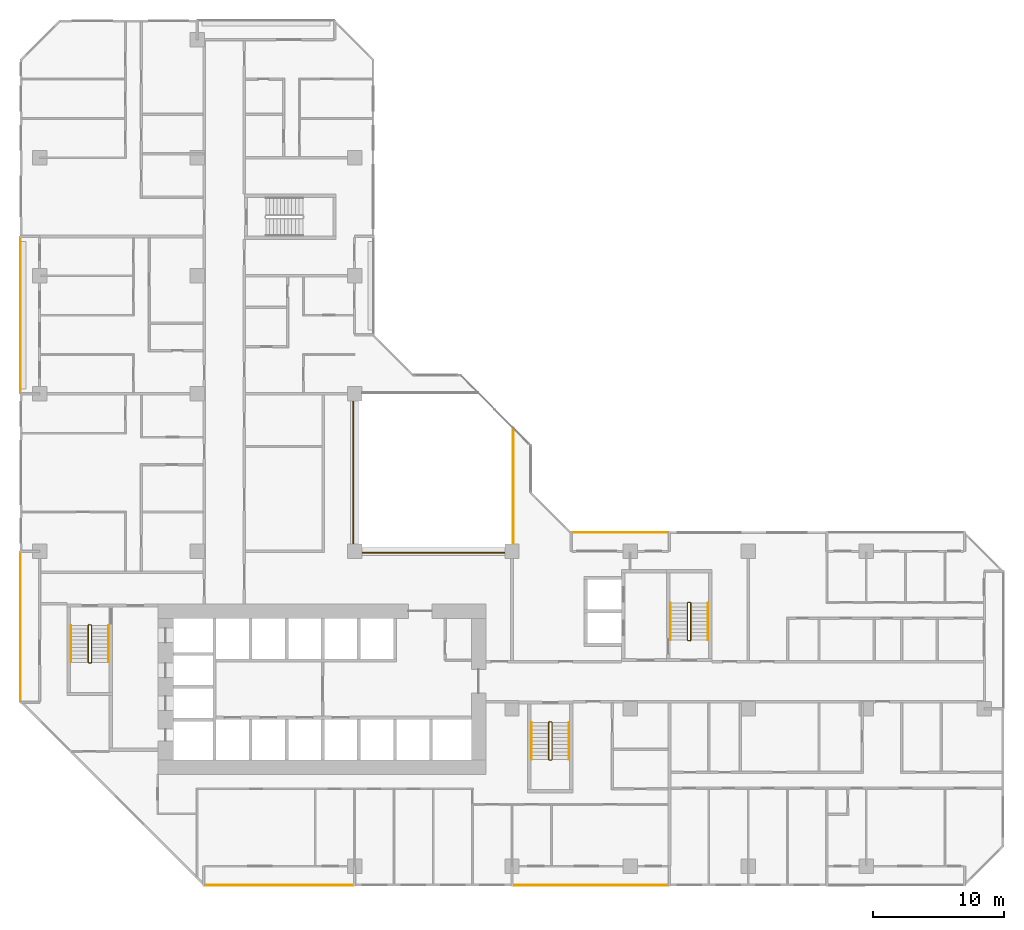
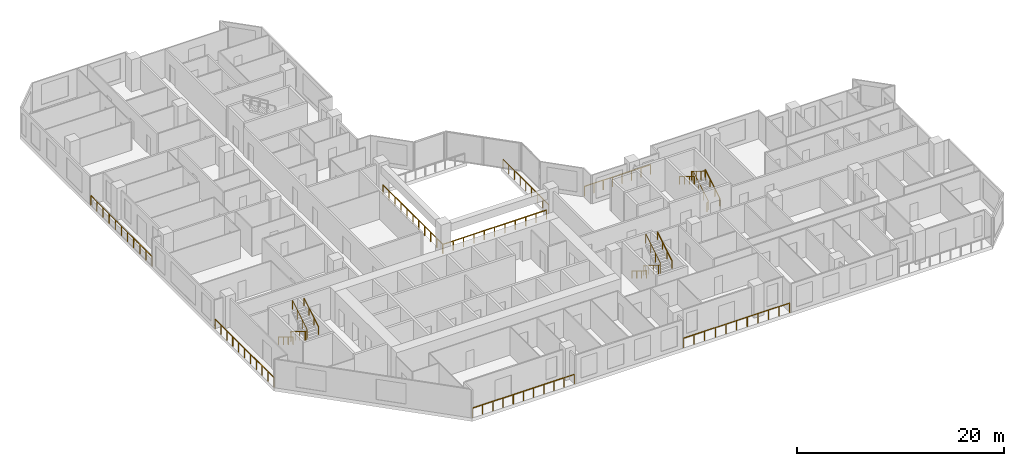
# One storey, part 15 of 16: 16 railings.
"""IFC4 building model written with IfcOpenShell, lengths in metres."""

from ifc_helpers import new_model, si_unit, direction, frame, origin, origin_2d, place, context, subcontext, project, spatial, rectangle, extrude, material, type_object, element, save


model = new_model("IFC4")

# Units and contexts
model_context = context("Model", 3, precision=1e-05, world=origin(), true_north=direction((0.0, 1.0)))
body_context = subcontext(model_context, "Body", "Model", "MODEL_VIEW")
ifc_project = project(units=[si_unit("LENGTHUNIT", "METRE"), si_unit("AREAUNIT", "SQUARE_METRE"), si_unit("VOLUMEUNIT", "CUBIC_METRE"), si_unit("PLANEANGLEUNIT", "RADIAN"), si_unit("MASSUNIT", "GRAM", prefix="KILO")], contexts=[model_context])

# Site, building, storey
site_placement = place(None, origin())
site = spatial("IfcSite", under=ifc_project, at=site_placement, CompositionType="ELEMENT")
building_placement = place(site_placement, origin())
building = spatial("IfcBuilding", under=site, at=building_placement, Name="Chenar Terraces", CompositionType="ELEMENT")
storey_placement = place(building_placement, frame((0.0, 0.0, 75.14990234375)))
storey = spatial("IfcBuildingStorey", under=building, at=storey_placement, Name="L16", CompositionType="ELEMENT", Elevation=75.14990234375)

# Railings
ifc_material_1 = material(Name="Powder-coated steel", Category="steel")
railing_type_1 = type_object("IfcRailingType", Name="Guard 1100 steel rail with glass infill", PredefinedType="GUARDRAIL", material=ifc_material_1)
railing_1_placement = place(storey_placement, frame((23.89990234375, 35.449951171875, 0.0)))
element("IfcRailing", 1, at=railing_1_placement, inside=storey, type_object=railing_type_1, Name="Guard L16-1", PredefinedType="GUARDRAIL", context=body_context, shape_type="SweptSolid", body=[
    extrude(rectangle(XDim=0.06005859375, YDim=0.06005859375, at=origin_2d()), frame((0.0, 0.0, 1.070068359375), z_axis=(0.0, -1.0, 0.0), x_axis=(1.0, 0.0, 0.0)), (0.0, 0.0, 1.0), 11.550048828125),
    extrude(rectangle(XDim=0.06005859375, YDim=0.06005859375, at=origin_2d()), frame((0.0, -11.550048828125, 1.070068359375), z_axis=(1.0, 0.0, 0.0), x_axis=(0.0, 1.0, 0.0)), (0.0, 0.0, 1.0), 11.550048828125),
    extrude(rectangle(XDim=0.050048828125, YDim=0.050048828125, at=origin_2d()), origin(), (0.0, 0.0, 1.0), 1.0400390625),
    extrude(rectangle(XDim=0.050048828125, YDim=0.050048828125, at=origin_2d()), frame((0.0, -1.155029296875, 0.0)), (0.0, 0.0, 1.0), 1.0400390625),
    extrude(rectangle(XDim=0.050048828125, YDim=0.050048828125, at=origin_2d()), frame((0.0, -2.31005859375, 0.0)), (0.0, 0.0, 1.0), 1.0400390625),
    extrude(rectangle(XDim=0.050048828125, YDim=0.050048828125, at=origin_2d()), frame((0.0, -3.465087890625, 0.0)), (0.0, 0.0, 1.0), 1.0400390625),
    extrude(rectangle(XDim=0.050048828125, YDim=0.050048828125, at=origin_2d()), frame((0.0, -4.6201171875, 0.0)), (0.0, 0.0, 1.0), 1.0400390625),
    extrude(rectangle(XDim=0.050048828125, YDim=0.050048828125, at=origin_2d()), frame((0.0, -5.77490234375, 0.0)), (0.0, 0.0, 1.0), 1.0400390625),
    extrude(rectangle(XDim=0.050048828125, YDim=0.050048828125, at=origin_2d()), frame((0.0, -6.929931640625, 0.0)), (0.0, 0.0, 1.0), 1.0400390625),
    extrude(rectangle(XDim=0.050048828125, YDim=0.050048828125, at=origin_2d()), frame((0.0, -8.0849609375, 0.0)), (0.0, 0.0, 1.0), 1.0400390625),
    extrude(rectangle(XDim=0.050048828125, YDim=0.050048828125, at=origin_2d()), frame((0.0, -9.239990234375, 0.0)), (0.0, 0.0, 1.0), 1.0400390625),
    extrude(rectangle(XDim=0.050048828125, YDim=0.050048828125, at=origin_2d()), frame((0.0, -10.39501953125, 0.0)), (0.0, 0.0, 1.0), 1.0400390625),
    extrude(rectangle(XDim=0.050048828125, YDim=0.050048828125, at=origin_2d()), frame((0.0, -11.550048828125, 0.0)), (0.0, 0.0, 1.0), 1.0400390625),
    extrude(rectangle(XDim=0.050048828125, YDim=0.050048828125, at=origin_2d()), frame((1.155029296875, -11.550048828125, 0.0)), (0.0, 0.0, 1.0), 1.0400390625),
    extrude(rectangle(XDim=0.050048828125, YDim=0.050048828125, at=origin_2d()), frame((2.31005859375, -11.550048828125, 0.0)), (0.0, 0.0, 1.0), 1.0400390625),
    extrude(rectangle(XDim=0.050048828125, YDim=0.050048828125, at=origin_2d()), frame((3.465087890625, -11.550048828125, 0.0)), (0.0, 0.0, 1.0), 1.0400390625),
    extrude(rectangle(XDim=0.050048828125, YDim=0.050048828125, at=origin_2d()), frame((4.6201171875, -11.550048828125, 0.0)), (0.0, 0.0, 1.0), 1.0400390625),
    extrude(rectangle(XDim=0.050048828125, YDim=0.050048828125, at=origin_2d()), frame((5.77490234375, -11.550048828125, 0.0)), (0.0, 0.0, 1.0), 1.0400390625),
    extrude(rectangle(XDim=0.050048828125, YDim=0.050048828125, at=origin_2d()), frame((6.929931640625, -11.550048828125, 0.0)), (0.0, 0.0, 1.0), 1.0400390625),
    extrude(rectangle(XDim=0.050048828125, YDim=0.050048828125, at=origin_2d()), frame((8.0849609375, -11.550048828125, 0.0)), (0.0, 0.0, 1.0), 1.0400390625),
    extrude(rectangle(XDim=0.050048828125, YDim=0.050048828125, at=origin_2d()), frame((9.239990234375, -11.550048828125, 0.0)), (0.0, 0.0, 1.0), 1.0400390625),
    extrude(rectangle(XDim=0.050048828125, YDim=0.050048828125, at=origin_2d()), frame((10.39501953125, -11.550048828125, 0.0)), (0.0, 0.0, 1.0), 1.0400390625),
    extrude(rectangle(XDim=0.050048828125, YDim=0.050048828125, at=origin_2d()), frame((11.550048828125, -11.550048828125, 0.0)), (0.0, 0.0, 1.0), 1.0400390625),
])
railing_2_placement = place(storey_placement, frame((36.10009765625, 24.60009765625, 0.0)))
element("IfcRailing", 2, at=railing_2_placement, inside=storey, type_object=railing_type_1, Name="Guard L16-3", PredefinedType="GUARDRAIL", context=body_context, shape_type="SweptSolid", body=[
    extrude(rectangle(XDim=0.06005859375, YDim=0.06005859375, at=origin_2d()), frame((0.0, 0.0, 1.070068359375), z_axis=(0.0, 1.0, 0.0), x_axis=(-1.0, 0.0, 0.0)), (0.0, 0.0, 1.0), 8.7998046875),
    extrude(rectangle(XDim=0.050048828125, YDim=0.050048828125, at=origin_2d()), origin(), (0.0, 0.0, 1.0), 1.0400390625),
    extrude(rectangle(XDim=0.050048828125, YDim=0.050048828125, at=origin_2d()), frame((0.0, 1.10009765625, 0.0)), (0.0, 0.0, 1.0), 1.0400390625),
    extrude(rectangle(XDim=0.050048828125, YDim=0.050048828125, at=origin_2d()), frame((0.0, 2.199951171875, 0.0)), (0.0, 0.0, 1.0), 1.0400390625),
    extrude(rectangle(XDim=0.050048828125, YDim=0.050048828125, at=origin_2d()), frame((0.0, 3.2998046875, 0.0)), (0.0, 0.0, 1.0), 1.0400390625),
    extrude(rectangle(XDim=0.050048828125, YDim=0.050048828125, at=origin_2d()), frame((0.0, 4.39990234375, 0.0)), (0.0, 0.0, 1.0), 1.0400390625),
    extrude(rectangle(XDim=0.050048828125, YDim=0.050048828125, at=origin_2d()), frame((0.0, 5.5, 0.0)), (0.0, 0.0, 1.0), 1.0400390625),
    extrude(rectangle(XDim=0.050048828125, YDim=0.050048828125, at=origin_2d()), frame((0.0, 6.599853515625, 0.0)), (0.0, 0.0, 1.0), 1.0400390625),
    extrude(rectangle(XDim=0.050048828125, YDim=0.050048828125, at=origin_2d()), frame((0.0, 7.69970703125, 0.0)), (0.0, 0.0, 1.0), 1.0400390625),
    extrude(rectangle(XDim=0.050048828125, YDim=0.050048828125, at=origin_2d()), frame((0.0, 8.7998046875, 0.0)), (0.0, 0.0, 1.0), 1.0400390625),
])
ifc_material_2 = material(Name="Stainless steel and glass", Category="steel")
railing_type_2 = type_object("IfcRailingType", Name="Loggia guard 1150", PredefinedType="GUARDRAIL", material=ifc_material_2)
railing_3_placement = place(storey_placement, frame((47.925048828125, 25.449951171875, 0.0)))
element("IfcRailing", 3, at=railing_3_placement, inside=storey, type_object=railing_type_2, Name="Loggia guard", PredefinedType="GUARDRAIL", context=body_context, shape_type="SweptSolid", body=[
    extrude(rectangle(XDim=0.048095703125, YDim=0.048095703125, at=origin_2d()), frame((0.0, 0.0, 1.1259765625), z_axis=(-1.0, 0.0, 0.0), x_axis=(0.0, -1.0, 0.0)), (0.0, 0.0, 1.0), 7.35009765625),
    extrude(rectangle(XDim=0.0419921875, YDim=0.0419921875, at=origin_2d()), origin(), (0.0, 0.0, 1.0), 1.101806640625),
    extrude(rectangle(XDim=0.0419921875, YDim=0.0419921875, at=origin_2d()), frame((-1.050048828125, 0.0, 0.0)), (0.0, 0.0, 1.0), 1.101806640625),
    extrude(rectangle(XDim=0.0419921875, YDim=0.0419921875, at=origin_2d()), frame((-2.10009765625, 0.0, 0.0)), (0.0, 0.0, 1.0), 1.101806640625),
    extrude(rectangle(XDim=0.0419921875, YDim=0.0419921875, at=origin_2d()), frame((-3.150146484375, 0.0, 0.0)), (0.0, 0.0, 1.0), 1.101806640625),
    extrude(rectangle(XDim=0.0419921875, YDim=0.0419921875, at=origin_2d()), frame((-4.199951171875, 0.0, 0.0)), (0.0, 0.0, 1.0), 1.101806640625),
    extrude(rectangle(XDim=0.0419921875, YDim=0.0419921875, at=origin_2d()), frame((-5.25, 0.0, 0.0)), (0.0, 0.0, 1.0), 1.101806640625),
    extrude(rectangle(XDim=0.0419921875, YDim=0.0419921875, at=origin_2d()), frame((-6.300048828125, 0.0, 0.0)), (0.0, 0.0, 1.0), 1.101806640625),
    extrude(rectangle(XDim=0.0419921875, YDim=0.0419921875, at=origin_2d()), frame((-7.35009765625, 0.0, 0.0)), (0.0, 0.0, 1.0), 1.101806640625),
])
railing_4_placement = place(storey_placement, frame((12.574951171875, -1.449951171875, 0.0)))
element("IfcRailing", 4, at=railing_4_placement, inside=storey, type_object=railing_type_2, Name="Loggia guard", PredefinedType="GUARDRAIL", context=body_context, shape_type="SweptSolid", body=[
    extrude(rectangle(XDim=0.048095703125, YDim=0.048095703125, at=origin_2d()), frame((0.0, 0.0, 1.1259765625), z_axis=(1.0, 0.0, 0.0), x_axis=(0.0, 1.0, 0.0)), (0.0, 0.0, 1.0), 11.35009765625),
    extrude(rectangle(XDim=0.0419921875, YDim=0.0419921875, at=origin_2d()), origin(), (0.0, 0.0, 1.0), 1.101806640625),
    extrude(rectangle(XDim=0.0419921875, YDim=0.0419921875, at=origin_2d()), frame((1.135009765625, 0.0, 0.0)), (0.0, 0.0, 1.0), 1.101806640625),
    extrude(rectangle(XDim=0.0419921875, YDim=0.0419921875, at=origin_2d()), frame((2.27001953125, 0.0, 0.0)), (0.0, 0.0, 1.0), 1.101806640625),
    extrude(rectangle(XDim=0.0419921875, YDim=0.0419921875, at=origin_2d()), frame((3.405029296875, 0.0, 0.0)), (0.0, 0.0, 1.0), 1.101806640625),
    extrude(rectangle(XDim=0.0419921875, YDim=0.0419921875, at=origin_2d()), frame((4.5400390625, 0.0, 0.0)), (0.0, 0.0, 1.0), 1.101806640625),
    extrude(rectangle(XDim=0.0419921875, YDim=0.0419921875, at=origin_2d()), frame((5.675048828125, 0.0, 0.0)), (0.0, 0.0, 1.0), 1.101806640625),
    extrude(rectangle(XDim=0.0419921875, YDim=0.0419921875, at=origin_2d()), frame((6.81005859375, 0.0, 0.0)), (0.0, 0.0, 1.0), 1.101806640625),
    extrude(rectangle(XDim=0.0419921875, YDim=0.0419921875, at=origin_2d()), frame((7.945068359375, 0.0, 0.0)), (0.0, 0.0, 1.0), 1.101806640625),
    extrude(rectangle(XDim=0.0419921875, YDim=0.0419921875, at=origin_2d()), frame((9.080078125, 0.0, 0.0)), (0.0, 0.0, 1.0), 1.101806640625),
    extrude(rectangle(XDim=0.0419921875, YDim=0.0419921875, at=origin_2d()), frame((10.215087890625, 0.0, 0.0)), (0.0, 0.0, 1.0), 1.101806640625),
    extrude(rectangle(XDim=0.0419921875, YDim=0.0419921875, at=origin_2d()), frame((11.35009765625, 0.0, 0.0)), (0.0, 0.0, 1.0), 1.101806640625),
])
railing_5_placement = place(storey_placement, frame((36.074951171875, -1.449951171875, 0.0)))
element("IfcRailing", 5, at=railing_5_placement, inside=storey, type_object=railing_type_2, Name="Loggia guard", PredefinedType="GUARDRAIL", context=body_context, shape_type="SweptSolid", body=[
    extrude(rectangle(XDim=0.048095703125, YDim=0.048095703125, at=origin_2d()), frame((0.0, 0.0, 1.1259765625), z_axis=(1.0, 0.0, 0.0), x_axis=(0.0, 1.0, 0.0)), (0.0, 0.0, 1.0), 11.85009765625),
    extrude(rectangle(XDim=0.0419921875, YDim=0.0419921875, at=origin_2d()), origin(), (0.0, 0.0, 1.0), 1.101806640625),
    extrude(rectangle(XDim=0.0419921875, YDim=0.0419921875, at=origin_2d()), frame((1.18505859375, 0.0, 0.0)), (0.0, 0.0, 1.0), 1.101806640625),
    extrude(rectangle(XDim=0.0419921875, YDim=0.0419921875, at=origin_2d()), frame((2.3701171875, 0.0, 0.0)), (0.0, 0.0, 1.0), 1.101806640625),
    extrude(rectangle(XDim=0.0419921875, YDim=0.0419921875, at=origin_2d()), frame((3.554931640625, 0.0, 0.0)), (0.0, 0.0, 1.0), 1.101806640625),
    extrude(rectangle(XDim=0.0419921875, YDim=0.0419921875, at=origin_2d()), frame((4.739990234375, 0.0, 0.0)), (0.0, 0.0, 1.0), 1.101806640625),
    extrude(rectangle(XDim=0.0419921875, YDim=0.0419921875, at=origin_2d()), frame((5.925048828125, 0.0, 0.0)), (0.0, 0.0, 1.0), 1.101806640625),
    extrude(rectangle(XDim=0.0419921875, YDim=0.0419921875, at=origin_2d()), frame((7.110107421875, 0.0, 0.0)), (0.0, 0.0, 1.0), 1.101806640625),
    extrude(rectangle(XDim=0.0419921875, YDim=0.0419921875, at=origin_2d()), frame((8.295166015625, 0.0, 0.0)), (0.0, 0.0, 1.0), 1.101806640625),
    extrude(rectangle(XDim=0.0419921875, YDim=0.0419921875, at=origin_2d()), frame((9.47998046875, 0.0, 0.0)), (0.0, 0.0, 1.0), 1.101806640625),
    extrude(rectangle(XDim=0.0419921875, YDim=0.0419921875, at=origin_2d()), frame((10.6650390625, 0.0, 0.0)), (0.0, 0.0, 1.0), 1.101806640625),
    extrude(rectangle(XDim=0.0419921875, YDim=0.0419921875, at=origin_2d()), frame((11.85009765625, 0.0, 0.0)), (0.0, 0.0, 1.0), 1.101806640625),
])
railing_6_placement = place(storey_placement, frame((-1.449951171875, 47.925048828125, 0.0)))
element("IfcRailing", 6, at=railing_6_placement, inside=storey, type_object=railing_type_2, Name="Loggia guard", PredefinedType="GUARDRAIL", context=body_context, shape_type="SweptSolid", body=[
    extrude(rectangle(XDim=0.048095703125, YDim=0.048095703125, at=origin_2d()), frame((0.0, 0.0, 1.1259765625), z_axis=(0.0, -1.0, 0.0), x_axis=(1.0, 0.0, 0.0)), (0.0, 0.0, 1.0), 11.85009765625),
    extrude(rectangle(XDim=0.0419921875, YDim=0.0419921875, at=origin_2d()), origin(), (0.0, 0.0, 1.0), 1.101806640625),
    extrude(rectangle(XDim=0.0419921875, YDim=0.0419921875, at=origin_2d()), frame((0.0, -1.18505859375, 0.0)), (0.0, 0.0, 1.0), 1.101806640625),
    extrude(rectangle(XDim=0.0419921875, YDim=0.0419921875, at=origin_2d()), frame((0.0, -2.3701171875, 0.0)), (0.0, 0.0, 1.0), 1.101806640625),
    extrude(rectangle(XDim=0.0419921875, YDim=0.0419921875, at=origin_2d()), frame((0.0, -3.554931640625, 0.0)), (0.0, 0.0, 1.0), 1.101806640625),
    extrude(rectangle(XDim=0.0419921875, YDim=0.0419921875, at=origin_2d()), frame((0.0, -4.739990234375, 0.0)), (0.0, 0.0, 1.0), 1.101806640625),
    extrude(rectangle(XDim=0.0419921875, YDim=0.0419921875, at=origin_2d()), frame((0.0, -5.925048828125, 0.0)), (0.0, 0.0, 1.0), 1.101806640625),
    extrude(rectangle(XDim=0.0419921875, YDim=0.0419921875, at=origin_2d()), frame((0.0, -7.110107421875, 0.0)), (0.0, 0.0, 1.0), 1.101806640625),
    extrude(rectangle(XDim=0.0419921875, YDim=0.0419921875, at=origin_2d()), frame((0.0, -8.295166015625, 0.0)), (0.0, 0.0, 1.0), 1.101806640625),
    extrude(rectangle(XDim=0.0419921875, YDim=0.0419921875, at=origin_2d()), frame((0.0, -9.47998046875, 0.0)), (0.0, 0.0, 1.0), 1.101806640625),
    extrude(rectangle(XDim=0.0419921875, YDim=0.0419921875, at=origin_2d()), frame((0.0, -10.6650390625, 0.0)), (0.0, 0.0, 1.0), 1.101806640625),
    extrude(rectangle(XDim=0.0419921875, YDim=0.0419921875, at=origin_2d()), frame((0.0, -11.85009765625, 0.0)), (0.0, 0.0, 1.0), 1.101806640625),
])
railing_7_placement = place(storey_placement, frame((-1.449951171875, 23.925048828125, 0.0)))
element("IfcRailing", 7, at=railing_7_placement, inside=storey, type_object=railing_type_2, Name="Loggia guard", PredefinedType="GUARDRAIL", context=body_context, shape_type="SweptSolid", body=[
    extrude(rectangle(XDim=0.048095703125, YDim=0.048095703125, at=origin_2d()), frame((0.0, 0.0, 1.1259765625), z_axis=(0.0, -1.0, 0.0), x_axis=(1.0, 0.0, 0.0)), (0.0, 0.0, 1.0), 11.35009765625),
    extrude(rectangle(XDim=0.0419921875, YDim=0.0419921875, at=origin_2d()), origin(), (0.0, 0.0, 1.0), 1.101806640625),
    extrude(rectangle(XDim=0.0419921875, YDim=0.0419921875, at=origin_2d()), frame((0.0, -1.135009765625, 0.0)), (0.0, 0.0, 1.0), 1.101806640625),
    extrude(rectangle(XDim=0.0419921875, YDim=0.0419921875, at=origin_2d()), frame((0.0, -2.27001953125, 0.0)), (0.0, 0.0, 1.0), 1.101806640625),
    extrude(rectangle(XDim=0.0419921875, YDim=0.0419921875, at=origin_2d()), frame((0.0, -3.405029296875, 0.0)), (0.0, 0.0, 1.0), 1.101806640625),
    extrude(rectangle(XDim=0.0419921875, YDim=0.0419921875, at=origin_2d()), frame((0.0, -4.5400390625, 0.0)), (0.0, 0.0, 1.0), 1.101806640625),
    extrude(rectangle(XDim=0.0419921875, YDim=0.0419921875, at=origin_2d()), frame((0.0, -5.675048828125, 0.0)), (0.0, 0.0, 1.0), 1.101806640625),
    extrude(rectangle(XDim=0.0419921875, YDim=0.0419921875, at=origin_2d()), frame((0.0, -6.81005859375, 0.0)), (0.0, 0.0, 1.0), 1.101806640625),
    extrude(rectangle(XDim=0.0419921875, YDim=0.0419921875, at=origin_2d()), frame((0.0, -7.945068359375, 0.0)), (0.0, 0.0, 1.0), 1.101806640625),
    extrude(rectangle(XDim=0.0419921875, YDim=0.0419921875, at=origin_2d()), frame((0.0, -9.080078125, 0.0)), (0.0, 0.0, 1.0), 1.101806640625),
    extrude(rectangle(XDim=0.0419921875, YDim=0.0419921875, at=origin_2d()), frame((0.0, -10.215087890625, 0.0)), (0.0, 0.0, 1.0), 1.101806640625),
    extrude(rectangle(XDim=0.0419921875, YDim=0.0419921875, at=origin_2d()), frame((0.0, -11.35009765625, 0.0)), (0.0, 0.0, 1.0), 1.101806640625),
])
ifc_material_3 = material(Name="Powder-coated steel", Category="steel")
railing_type_3 = type_object("IfcRailingType", Name="Stair guard 1100", PredefinedType="GUARDRAIL", material=ifc_material_3)
railing_8_placement = place(storey_placement, frame((3.949951171875, 18.35009765625, 3.75)))
element("IfcRailing", 8, at=railing_8_placement, inside=storey, type_object=railing_type_3, Name="L16 ST1 stair guard 1", PredefinedType="GUARDRAIL", context=body_context, shape_type="SweptSolid", body=[
    extrude(rectangle(XDim=0.048095703125, YDim=0.048095703125, at=origin_2d()), frame((0.0, 0.0, 1.076171875), z_axis=(0.0, -0.854202870247, -0.519939858505), x_axis=(1.0, 0.0, 0.0)), (0.0, 0.0, 1.0), 3.278076171875),
    extrude(rectangle(XDim=0.048095703125, YDim=0.048095703125, at=origin_2d()), frame((0.0, -2.800048828125, -0.62841796875), z_axis=(-0.270899902878, -0.270899902878, -0.923702595667), x_axis=(0.707106781187, -0.707106781187, 0.0)), (0.0, 0.0, 1.0), 0.184814453125),
    extrude(rectangle(XDim=0.048095703125, YDim=0.048095703125, at=origin_2d()), frame((-0.050048828125, -2.85009765625, -0.798828125), z_axis=(-1.0, 0.0, 0.0), x_axis=(0.0, -1.0, 0.0)), (0.0, 0.0, 1.0), 0.14990234375),
    extrude(rectangle(XDim=0.048095703125, YDim=0.048095703125, at=origin_2d()), frame((-0.199951171875, -2.85009765625, -0.798828125), z_axis=(-0.707106781187, 0.707106781187, 0.0), x_axis=(-0.707106781187, -0.707106781187, 0.0)), (0.0, 0.0, 1.0), 0.07080078125),
    extrude(rectangle(XDim=0.048095703125, YDim=0.048095703125, at=origin_2d()), frame((-0.25, -2.800048828125, -0.798828125), z_axis=(0.0, 0.854202870247, -0.519939858505), x_axis=(-1.0, 0.0, 0.0)), (0.0, 0.0, 1.0), 3.278076171875),
    extrude(rectangle(XDim=0.048095703125, YDim=0.048095703125, at=origin_2d()), frame((-0.25, 0.0, -2.50341796875), z_axis=(0.270996696079, 0.269674760976, -0.924032636873), x_axis=(-0.705375805398, 0.708833529934, 0.0)), (0.0, 0.0, 1.0), 0.1845703125),
    extrude(rectangle(XDim=0.048095703125, YDim=0.048095703125, at=origin_2d()), frame((-0.199951171875, 0.0498046875, -2.673828125), z_axis=(1.0, 0.0, 0.0), x_axis=(0.0, 1.0, 0.0)), (0.0, 0.0, 1.0), 0.14990234375),
    extrude(rectangle(XDim=0.0419921875, YDim=0.0419921875, at=origin_2d()), origin(), (0.0, 0.0, 1.0), 1.052001953125),
    extrude(rectangle(XDim=0.0419921875, YDim=0.0419921875, at=origin_2d()), frame((0.0, -0.933349609375, -0.568115234375)), (0.0, 0.0, 1.0), 1.052001953125),
    extrude(rectangle(XDim=0.0419921875, YDim=0.0419921875, at=origin_2d()), frame((0.0, -1.86669921875, -1.13623046875)), (0.0, 0.0, 1.0), 1.052001953125),
    extrude(rectangle(XDim=0.0419921875, YDim=0.0419921875, at=origin_2d()), frame((0.0, -2.800048828125, -1.704345703125)), (0.0, 0.0, 1.0), 1.052001953125),
    extrude(rectangle(XDim=0.0419921875, YDim=0.0419921875, at=origin_2d()), frame((-0.050048828125, -2.85009765625, -1.875)), (0.0, 0.0, 1.0), 1.052001953125),
    extrude(rectangle(XDim=0.0419921875, YDim=0.0419921875, at=origin_2d()), frame((-0.199951171875, -2.85009765625, -1.875)), (0.0, 0.0, 1.0), 1.052001953125),
    extrude(rectangle(XDim=0.0419921875, YDim=0.0419921875, at=origin_2d()), frame((-0.25, -2.800048828125, -1.875)), (0.0, 0.0, 1.0), 1.052001953125),
    extrude(rectangle(XDim=0.0419921875, YDim=0.0419921875, at=origin_2d()), frame((-0.25, -1.86669921875, -2.443115234375)), (0.0, 0.0, 1.0), 1.052001953125),
    extrude(rectangle(XDim=0.0419921875, YDim=0.0419921875, at=origin_2d()), frame((-0.25, -0.933349609375, -3.01123046875)), (0.0, 0.0, 1.0), 1.052001953125),
    extrude(rectangle(XDim=0.0419921875, YDim=0.0419921875, at=origin_2d()), frame((-0.25, 0.0, -3.579345703125)), (0.0, 0.0, 1.0), 1.052001953125),
    extrude(rectangle(XDim=0.0419921875, YDim=0.0419921875, at=origin_2d()), frame((-0.199951171875, 0.0498046875, -3.75)), (0.0, 0.0, 1.0), 1.052001953125),
    extrude(rectangle(XDim=0.0419921875, YDim=0.0419921875, at=origin_2d()), frame((-0.050048828125, 0.0498046875, -3.75)), (0.0, 0.0, 1.0), 1.052001953125),
])
railing_9_placement = place(storey_placement, frame((39.050048828125, 10.949951171875, 3.75)))
element("IfcRailing", 9, at=railing_9_placement, inside=storey, type_object=railing_type_3, Name="L16 ST2 stair guard 1", PredefinedType="GUARDRAIL", context=body_context, shape_type="SweptSolid", body=[
    extrude(rectangle(XDim=0.048095703125, YDim=0.048095703125, at=origin_2d()), frame((0.0, 0.0, 1.076171875), z_axis=(0.0, -0.854202870247, -0.519939858505), x_axis=(1.0, 0.0, 0.0)), (0.0, 0.0, 1.0), 3.278076171875),
    extrude(rectangle(XDim=0.048095703125, YDim=0.048095703125, at=origin_2d()), frame((0.0, -2.800048828125, -0.62841796875), z_axis=(-0.270996696079, -0.269674760976, -0.924032636873), x_axis=(0.705375805398, -0.708833529934, 0.0)), (0.0, 0.0, 1.0), 0.1845703125),
    extrude(rectangle(XDim=0.048095703125, YDim=0.048095703125, at=origin_2d()), frame((-0.050048828125, -2.849853515625, -0.798828125), z_axis=(-1.0, 0.0, 0.0), x_axis=(0.0, -1.0, 0.0)), (0.0, 0.0, 1.0), 0.14990234375),
    extrude(rectangle(XDim=0.048095703125, YDim=0.048095703125, at=origin_2d()), frame((-0.199951171875, -2.849853515625, -0.798828125), z_axis=(-0.708833529934, 0.705375805398, 0.0), x_axis=(-0.705375805398, -0.708833529934, 0.0)), (0.0, 0.0, 1.0), 0.070556640625),
    extrude(rectangle(XDim=0.048095703125, YDim=0.048095703125, at=origin_2d()), frame((-0.25, -2.800048828125, -0.798828125), z_axis=(0.0, 0.854202870247, -0.519939858505), x_axis=(-1.0, 0.0, 0.0)), (0.0, 0.0, 1.0), 3.278076171875),
    extrude(rectangle(XDim=0.048095703125, YDim=0.048095703125, at=origin_2d()), frame((-0.25, 0.0, -2.50341796875), z_axis=(0.270899902878, 0.270899902878, -0.923702595667), x_axis=(-0.707106781187, 0.707106781187, 0.0)), (0.0, 0.0, 1.0), 0.184814453125),
    extrude(rectangle(XDim=0.048095703125, YDim=0.048095703125, at=origin_2d()), frame((-0.199951171875, 0.050048828125, -2.673828125), z_axis=(1.0, 0.0, 0.0), x_axis=(0.0, 1.0, 0.0)), (0.0, 0.0, 1.0), 0.14990234375),
    extrude(rectangle(XDim=0.0419921875, YDim=0.0419921875, at=origin_2d()), origin(), (0.0, 0.0, 1.0), 1.052001953125),
    extrude(rectangle(XDim=0.0419921875, YDim=0.0419921875, at=origin_2d()), frame((0.0, -0.933349609375, -0.568115234375)), (0.0, 0.0, 1.0), 1.052001953125),
    extrude(rectangle(XDim=0.0419921875, YDim=0.0419921875, at=origin_2d()), frame((0.0, -1.86669921875, -1.13623046875)), (0.0, 0.0, 1.0), 1.052001953125),
    extrude(rectangle(XDim=0.0419921875, YDim=0.0419921875, at=origin_2d()), frame((0.0, -2.800048828125, -1.704345703125)), (0.0, 0.0, 1.0), 1.052001953125),
    extrude(rectangle(XDim=0.0419921875, YDim=0.0419921875, at=origin_2d()), frame((-0.050048828125, -2.849853515625, -1.875)), (0.0, 0.0, 1.0), 1.052001953125),
    extrude(rectangle(XDim=0.0419921875, YDim=0.0419921875, at=origin_2d()), frame((-0.199951171875, -2.849853515625, -1.875)), (0.0, 0.0, 1.0), 1.052001953125),
    extrude(rectangle(XDim=0.0419921875, YDim=0.0419921875, at=origin_2d()), frame((-0.25, -2.800048828125, -1.875)), (0.0, 0.0, 1.0), 1.052001953125),
    extrude(rectangle(XDim=0.0419921875, YDim=0.0419921875, at=origin_2d()), frame((-0.25, -1.86669921875, -2.443115234375)), (0.0, 0.0, 1.0), 1.052001953125),
    extrude(rectangle(XDim=0.0419921875, YDim=0.0419921875, at=origin_2d()), frame((-0.25, -0.933349609375, -3.01123046875)), (0.0, 0.0, 1.0), 1.052001953125),
    extrude(rectangle(XDim=0.0419921875, YDim=0.0419921875, at=origin_2d()), frame((-0.25, 0.0, -3.579345703125)), (0.0, 0.0, 1.0), 1.052001953125),
    extrude(rectangle(XDim=0.0419921875, YDim=0.0419921875, at=origin_2d()), frame((-0.199951171875, 0.050048828125, -3.75)), (0.0, 0.0, 1.0), 1.052001953125),
    extrude(rectangle(XDim=0.0419921875, YDim=0.0419921875, at=origin_2d()), frame((-0.050048828125, 0.050048828125, -3.75)), (0.0, 0.0, 1.0), 1.052001953125),
])
railing_10_placement = place(storey_placement, frame((49.375, 17.25, 3.75)))
element("IfcRailing", 10, at=railing_10_placement, inside=storey, type_object=railing_type_3, Name="L16 ST3 stair guard 1", PredefinedType="GUARDRAIL", context=body_context, shape_type="SweptSolid", body=[
    extrude(rectangle(XDim=0.048095703125, YDim=0.048095703125, at=origin_2d()), frame((0.0, 0.0, 1.076171875), z_axis=(0.0, 0.854202870247, -0.519939858505), x_axis=(-1.0, 0.0, 0.0)), (0.0, 0.0, 1.0), 3.278076171875),
    extrude(rectangle(XDim=0.048095703125, YDim=0.048095703125, at=origin_2d()), frame((0.0, 2.800048828125, -0.62841796875), z_axis=(0.270899902878, 0.270899902878, -0.923702595667), x_axis=(-0.707106781187, 0.707106781187, 0.0)), (0.0, 0.0, 1.0), 0.184814453125),
    extrude(rectangle(XDim=0.048095703125, YDim=0.048095703125, at=origin_2d()), frame((0.050048828125, 2.85009765625, -0.798828125), z_axis=(1.0, 0.0, 0.0), x_axis=(0.0, 1.0, 0.0)), (0.0, 0.0, 1.0), 0.14990234375),
    extrude(rectangle(XDim=0.048095703125, YDim=0.048095703125, at=origin_2d()), frame((0.199951171875, 2.85009765625, -0.798828125), z_axis=(0.707106781187, -0.707106781187, 0.0), x_axis=(0.707106781187, 0.707106781187, 0.0)), (0.0, 0.0, 1.0), 0.07080078125),
    extrude(rectangle(XDim=0.048095703125, YDim=0.048095703125, at=origin_2d()), frame((0.25, 2.800048828125, -0.798828125), z_axis=(0.0, -0.854202870247, -0.519939858505), x_axis=(1.0, 0.0, 0.0)), (0.0, 0.0, 1.0), 3.278076171875),
    extrude(rectangle(XDim=0.048095703125, YDim=0.048095703125, at=origin_2d()), frame((0.25, 0.0, -2.50341796875), z_axis=(-0.270899902878, -0.270899902878, -0.923702595667), x_axis=(0.707106781187, -0.707106781187, 0.0)), (0.0, 0.0, 1.0), 0.184814453125),
    extrude(rectangle(XDim=0.048095703125, YDim=0.048095703125, at=origin_2d()), frame((0.199951171875, -0.050048828125, -2.673828125), z_axis=(-1.0, 0.0, 0.0), x_axis=(0.0, -1.0, 0.0)), (0.0, 0.0, 1.0), 0.14990234375),
    extrude(rectangle(XDim=0.0419921875, YDim=0.0419921875, at=origin_2d()), origin(), (0.0, 0.0, 1.0), 1.052001953125),
    extrude(rectangle(XDim=0.0419921875, YDim=0.0419921875, at=origin_2d()), frame((0.0, 0.933349609375, -0.568115234375)), (0.0, 0.0, 1.0), 1.052001953125),
    extrude(rectangle(XDim=0.0419921875, YDim=0.0419921875, at=origin_2d()), frame((0.0, 1.86669921875, -1.13623046875)), (0.0, 0.0, 1.0), 1.052001953125),
    extrude(rectangle(XDim=0.0419921875, YDim=0.0419921875, at=origin_2d()), frame((0.0, 2.800048828125, -1.704345703125)), (0.0, 0.0, 1.0), 1.052001953125),
    extrude(rectangle(XDim=0.0419921875, YDim=0.0419921875, at=origin_2d()), frame((0.050048828125, 2.85009765625, -1.875)), (0.0, 0.0, 1.0), 1.052001953125),
    extrude(rectangle(XDim=0.0419921875, YDim=0.0419921875, at=origin_2d()), frame((0.199951171875, 2.85009765625, -1.875)), (0.0, 0.0, 1.0), 1.052001953125),
    extrude(rectangle(XDim=0.0419921875, YDim=0.0419921875, at=origin_2d()), frame((0.25, 2.800048828125, -1.875)), (0.0, 0.0, 1.0), 1.052001953125),
    extrude(rectangle(XDim=0.0419921875, YDim=0.0419921875, at=origin_2d()), frame((0.25, 1.86669921875, -2.443115234375)), (0.0, 0.0, 1.0), 1.052001953125),
    extrude(rectangle(XDim=0.0419921875, YDim=0.0419921875, at=origin_2d()), frame((0.25, 0.933349609375, -3.01123046875)), (0.0, 0.0, 1.0), 1.052001953125),
    extrude(rectangle(XDim=0.0419921875, YDim=0.0419921875, at=origin_2d()), frame((0.25, 0.0, -3.579345703125)), (0.0, 0.0, 1.0), 1.052001953125),
    extrude(rectangle(XDim=0.0419921875, YDim=0.0419921875, at=origin_2d()), frame((0.199951171875, -0.050048828125, -3.75)), (0.0, 0.0, 1.0), 1.052001953125),
    extrude(rectangle(XDim=0.0419921875, YDim=0.0419921875, at=origin_2d()), frame((0.050048828125, -0.050048828125, -3.75)), (0.0, 0.0, 1.0), 1.052001953125),
])
ifc_material_4 = material(Name="Powder-coated steel", Category="steel")
railing_type_4 = type_object("IfcRailingType", Name="Stair handrail 900", PredefinedType="HANDRAIL", material=ifc_material_4)
railing_11_placement = place(storey_placement, frame((2.39990234375, 18.35009765625, 0.170654296875)))
element("IfcRailing", 11, at=railing_11_placement, inside=storey, type_object=railing_type_4, Name="L16 ST1 stair handrail 1", PredefinedType="HANDRAIL", context=body_context, shape_type="SweptSolid", body=[
    extrude(rectangle(XDim=0.048095703125, YDim=0.048095703125, at=origin_2d()), frame((0.0, 0.0, 0.8759765625), z_axis=(0.0, -0.854202870247, 0.519939858505), x_axis=(1.0, 0.0, 0.0)), (0.0, 0.0, 1.0), 3.278076171875),
    extrude(rectangle(XDim=0.0419921875, YDim=0.0419921875, at=origin_2d()), origin(), (0.0, 0.0, 1.0), 0.851806640625),
    extrude(rectangle(XDim=0.0419921875, YDim=0.0419921875, at=origin_2d()), frame((0.0, -0.933349609375, 0.568115234375)), (0.0, 0.0, 1.0), 0.851806640625),
    extrude(rectangle(XDim=0.0419921875, YDim=0.0419921875, at=origin_2d()), frame((0.0, -1.86669921875, 1.13623046875)), (0.0, 0.0, 1.0), 0.851806640625),
    extrude(rectangle(XDim=0.0419921875, YDim=0.0419921875, at=origin_2d()), frame((0.0, -2.800048828125, 1.704345703125)), (0.0, 0.0, 1.0), 0.851806640625),
])
railing_12_placement = place(storey_placement, frame((5.25, 15.550048828125, 2.045654296875)))
element("IfcRailing", 12, at=railing_12_placement, inside=storey, type_object=railing_type_4, Name="L16 ST1 stair handrail 2", PredefinedType="HANDRAIL", context=body_context, shape_type="SweptSolid", body=[
    extrude(rectangle(XDim=0.048095703125, YDim=0.048095703125, at=origin_2d()), frame((0.0, 0.0, 0.8759765625), z_axis=(0.0, 0.854202870247, 0.519939858505), x_axis=(-1.0, 0.0, 0.0)), (0.0, 0.0, 1.0), 3.278076171875),
    extrude(rectangle(XDim=0.0419921875, YDim=0.0419921875, at=origin_2d()), origin(), (0.0, 0.0, 1.0), 0.851806640625),
    extrude(rectangle(XDim=0.0419921875, YDim=0.0419921875, at=origin_2d()), frame((0.0, 0.933349609375, 0.568115234375)), (0.0, 0.0, 1.0), 0.851806640625),
    extrude(rectangle(XDim=0.0419921875, YDim=0.0419921875, at=origin_2d()), frame((0.0, 1.86669921875, 1.13623046875)), (0.0, 0.0, 1.0), 0.851806640625),
    extrude(rectangle(XDim=0.0419921875, YDim=0.0419921875, at=origin_2d()), frame((0.0, 2.800048828125, 1.704345703125)), (0.0, 0.0, 1.0), 0.851806640625),
])
railing_13_placement = place(storey_placement, frame((37.5, 10.949951171875, 0.170654296875)))
element("IfcRailing", 13, at=railing_13_placement, inside=storey, type_object=railing_type_4, Name="L16 ST2 stair handrail 1", PredefinedType="HANDRAIL", context=body_context, shape_type="SweptSolid", body=[
    extrude(rectangle(XDim=0.048095703125, YDim=0.048095703125, at=origin_2d()), frame((0.0, 0.0, 0.8759765625), z_axis=(0.0, -0.854202870247, 0.519939858505), x_axis=(1.0, 0.0, 0.0)), (0.0, 0.0, 1.0), 3.278076171875),
    extrude(rectangle(XDim=0.0419921875, YDim=0.0419921875, at=origin_2d()), origin(), (0.0, 0.0, 1.0), 0.851806640625),
    extrude(rectangle(XDim=0.0419921875, YDim=0.0419921875, at=origin_2d()), frame((0.0, -0.933349609375, 0.568115234375)), (0.0, 0.0, 1.0), 0.851806640625),
    extrude(rectangle(XDim=0.0419921875, YDim=0.0419921875, at=origin_2d()), frame((0.0, -1.86669921875, 1.13623046875)), (0.0, 0.0, 1.0), 0.851806640625),
    extrude(rectangle(XDim=0.0419921875, YDim=0.0419921875, at=origin_2d()), frame((0.0, -2.800048828125, 1.704345703125)), (0.0, 0.0, 1.0), 0.851806640625),
])
for number, where, name in (
    (14, (40.35009765625, 8.14990234375, 2.045654296875), "L16 ST2 stair handrail 2"),
    (15, (50.925048828125, 17.25, 0.170654296875), "L16 ST3 stair handrail 1"),
):
    element("IfcRailing", number, at=place(storey_placement, frame(where)), inside=storey, type_object=railing_type_4, Name=name, PredefinedType="HANDRAIL", context=body_context, shape_type="SweptSolid", body=[
        extrude(rectangle(XDim=0.048095703125, YDim=0.048095703125, at=origin_2d()), frame((0.0, 0.0, 0.8759765625), z_axis=(0.0, 0.854202870247, 0.519939858505), x_axis=(-1.0, 0.0, 0.0)), (0.0, 0.0, 1.0), 3.278076171875),
        extrude(rectangle(XDim=0.0419921875, YDim=0.0419921875, at=origin_2d()), origin(), (0.0, 0.0, 1.0), 0.851806640625),
        extrude(rectangle(XDim=0.0419921875, YDim=0.0419921875, at=origin_2d()), frame((0.0, 0.933349609375, 0.568115234375)), (0.0, 0.0, 1.0), 0.851806640625),
        extrude(rectangle(XDim=0.0419921875, YDim=0.0419921875, at=origin_2d()), frame((0.0, 1.86669921875, 1.13623046875)), (0.0, 0.0, 1.0), 0.851806640625),
        extrude(rectangle(XDim=0.0419921875, YDim=0.0419921875, at=origin_2d()), frame((0.0, 2.800048828125, 1.704345703125)), (0.0, 0.0, 1.0), 0.851806640625),
    ])
railing_14_placement = place(storey_placement, frame((48.074951171875, 20.050048828125, 2.045654296875)))
element("IfcRailing", 16, at=railing_14_placement, inside=storey, type_object=railing_type_4, Name="L16 ST3 stair handrail 2", PredefinedType="HANDRAIL", context=body_context, shape_type="SweptSolid", body=[
    extrude(rectangle(XDim=0.048095703125, YDim=0.048095703125, at=origin_2d()), frame((0.0, 0.0, 0.8759765625), z_axis=(0.0, -0.854202870247, 0.519939858505), x_axis=(1.0, 0.0, 0.0)), (0.0, 0.0, 1.0), 3.278076171875),
    extrude(rectangle(XDim=0.0419921875, YDim=0.0419921875, at=origin_2d()), origin(), (0.0, 0.0, 1.0), 0.851806640625),
    extrude(rectangle(XDim=0.0419921875, YDim=0.0419921875, at=origin_2d()), frame((0.0, -0.933349609375, 0.568115234375)), (0.0, 0.0, 1.0), 0.851806640625),
    extrude(rectangle(XDim=0.0419921875, YDim=0.0419921875, at=origin_2d()), frame((0.0, -1.86669921875, 1.13623046875)), (0.0, 0.0, 1.0), 0.851806640625),
    extrude(rectangle(XDim=0.0419921875, YDim=0.0419921875, at=origin_2d()), frame((0.0, -2.800048828125, 1.704345703125)), (0.0, 0.0, 1.0), 0.851806640625),
])

save(model, "model.ifc")
